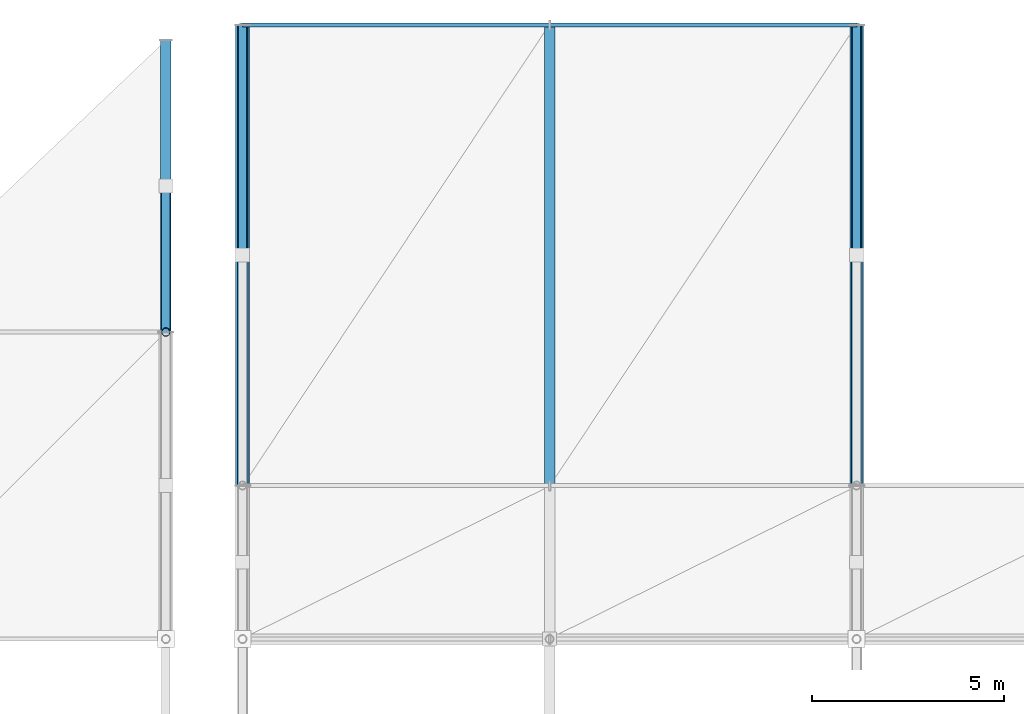
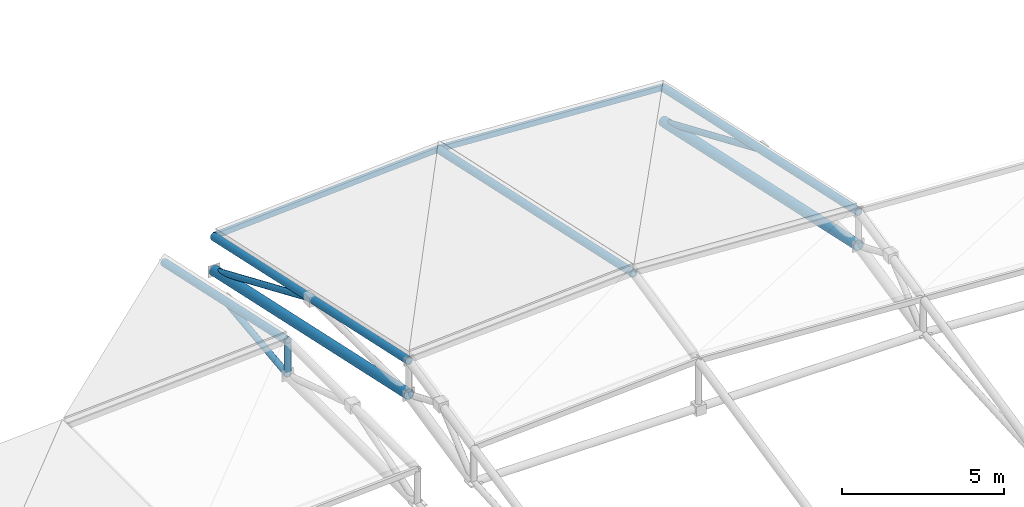
# One storey, part 12 of 27: 10 members, 2 beams.
"""IFC4 building model written with IfcOpenShell, lengths in metres."""

from ifc_helpers import new_model, si_unit, direction, frame, origin, origin_2d, place, context, subcontext, project, spatial, hollow_rectangle, hollow_circle, extrude, material, material_profile, profile_set, type_object, element, save


model = new_model("IFC4")

# Units and contexts
model_context = context("Model", 3, precision=1e-05, world=origin(), true_north=direction((0.0, 1.0)))
body_context = subcontext(model_context, "Body", "Model", "MODEL_VIEW")
ifc_project = project(units=[si_unit("LENGTHUNIT", "METRE"), si_unit("AREAUNIT", "SQUARE_METRE"), si_unit("VOLUMEUNIT", "CUBIC_METRE"), si_unit("PLANEANGLEUNIT", "RADIAN"), si_unit("MASSUNIT", "GRAM", prefix="KILO")], contexts=[model_context])

# Site, building, storey
site_placement = place(None, origin())
site = spatial("IfcSite", under=ifc_project, at=site_placement, CompositionType="ELEMENT")
building_placement = place(site_placement, origin())
building = spatial("IfcBuilding", under=site, at=building_placement, Name="Drelvath Fold Interchange", CompositionType="ELEMENT")
storey_placement = place(building_placement, frame((0.0, 0.0, 19.800048828125)))
storey = spatial("IfcBuildingStorey", under=building, at=storey_placement, Name="L04", CompositionType="ELEMENT", Elevation=19.800048828125)

# Members
ifc_material = material(Name="Steel ASTM A500 Grade C", Category="steel")
ifc_material_profile_1 = material_profile(ifc_material, hollow_rectangle(XDim=0.10205078125, YDim=0.202880859375, WallThickness=0.00732421875, at=origin_2d()), Name="HSS8X4X5/16")
ifc_profile_set_1 = profile_set([ifc_material_profile_1], Name="Steel ASTM A500 Grade C")
member_type_1 = type_object("IfcMemberType", Name="PR-HSS203", PredefinedType="PURLIN", material=ifc_profile_set_1)
for number, where, z_axis, x_axis, name in (
    (1, (102.0, 59.0, -0.01708984375), (0.998197699277, 0.0, 0.060011275256), (0.0, 1.0, 0.0), "L04 Space frame canopy purlin PR-HSS203"),
    (2, (110.0, 59.0, 0.4638671875), (0.998197699277, 0.0, -0.060011275256), (0.0, 1.0, 0.0), "L04 Space frame canopy purlin PR-HSS203"),
):
    element("IfcMember", number, at=place(storey_placement, frame(where, z_axis=z_axis, x_axis=x_axis)), inside=storey, type_object=member_type_1, Name=name, PredefinedType="PURLIN", context=body_context, shape_type="SweptSolid", body=[
        extrude(hollow_rectangle(XDim=0.10205078125, YDim=0.202880859375, WallThickness=0.00732421875, at=origin_2d()), origin(), (0.0, 0.0, 1.0), 8.014404296875),
    ])
ifc_material_profile_2 = material_profile(ifc_material, hollow_circle(Radius=0.136474609375, WallThickness=0.01171875, at=origin_2d()), Name="HSS10.750X0.500")
ifc_profile_set_2 = profile_set([ifc_material_profile_2], Name="Steel ASTM A500 Grade C")
member_type_2 = type_object("IfcMemberType", Name="SF-CHD273", PredefinedType="CHORD", material=ifc_profile_set_2)
member_1_placement = place(storey_placement, frame((100.0, 51.0, 1.574951171875), z_axis=(0.0, 0.977048433435, -0.213017273297), x_axis=(-1.0, 0.0, 0.0)))
element("IfcMember", 3, at=member_1_placement, inside=storey, type_object=member_type_2, Name="L04 Space frame roof truss upper chord SF-CHD273", PredefinedType="CHORD", context=body_context, shape_type="SweptSolid", body=[
    extrude(hollow_circle(Radius=0.136474609375, WallThickness=0.01171875, at=origin_2d()), origin(), (0.0, 0.0, 1.0), 7.778564453125),
])
for number, where, z_axis, x_axis, name in (
    (4, (102.0, 47.0, 2.56689453125), (0.0, 0.977053307197, -0.212994917534), (-1.0, 0.0, 0.0), "L04 Space frame roof truss upper chord SF-CHD273"),
    (5, (118.0, 47.0, 2.56689453125), (0.0, 0.977053307197, -0.212994917534), (-1.0, 0.0, 0.0), "L04 Space frame roof truss upper chord SF-CHD273"),
    (6, (110.0, 47.0, 3.0478515625), (0.0, 0.977053307197, -0.212994917534), (-1.0, 0.0, 0.0), "L04 Space frame crown chord SF-CHD273"),
):
    element("IfcMember", number, at=place(storey_placement, frame(where, z_axis=z_axis, x_axis=x_axis)), inside=storey, type_object=member_type_2, Name=name, PredefinedType="CHORD", context=body_context, shape_type="SweptSolid", body=[
        extrude(hollow_circle(Radius=0.136474609375, WallThickness=0.01171875, at=origin_2d()), origin(), (0.0, 0.0, 1.0), 12.28173828125),
    ])

# Beams
ifc_material_profile_3 = material_profile(ifc_material, hollow_circle(Radius=0.177978515625, WallThickness=0.01171875, at=origin_2d()), Name="HSS14.000X0.500")
ifc_profile_set_3 = profile_set([ifc_material_profile_3], Name="Steel ASTM A500 Grade C")
beam_type = type_object("IfcBeamType", Name="SF-RIB356", PredefinedType="BEAM", material=ifc_profile_set_3)
for number, where, z_axis, x_axis, name in (
    (7, (102.0, 47.0, 1.296875), (0.0, 0.977053307197, -0.212994917534), (-1.0, 0.0, 0.0), "Space frame roof truss main rib chord EAST"),
    (8, (118.0, 47.0, 1.296875), (0.0, 0.977053307197, -0.212994917534), (-1.0, 0.0, 0.0), "Space frame roof truss main rib chord EAST"),
):
    element("IfcBeam", number, at=place(storey_placement, frame(where, z_axis=z_axis, x_axis=x_axis)), inside=storey, type_object=beam_type, Name=name, PredefinedType="BEAM", context=body_context, shape_type="SweptSolid", body=[
        extrude(hollow_circle(Radius=0.177978515625, WallThickness=0.01171875, at=origin_2d()), origin(), (0.0, 0.0, 1.0), 12.28173828125),
    ])

# Members
ifc_material_profile_4 = material_profile(ifc_material, hollow_circle(Radius=0.109619140625, WallThickness=0.0087890625, at=origin_2d()), Name="HSS8.625X0.375")
ifc_profile_set_4 = profile_set([ifc_material_profile_4], Name="Steel ASTM A500 Grade C")
member_type_3 = type_object("IfcMemberType", Name="SF-WEB219", PredefinedType="BRACE", material=ifc_profile_set_4)
member_2_placement = place(storey_placement, frame((100.0, 51.0, 0.304931640625), z_axis=(0.0, 0.993299204982, 0.115571144248), x_axis=(-1.0, 0.0, 0.0)))
element("IfcMember", 9, at=member_2_placement, inside=storey, type_object=member_type_3, Name="L04 Space frame roof truss web brace SF-WEB219", PredefinedType="BRACE", context=body_context, shape_type="SweptSolid", body=[
    extrude(hollow_circle(Radius=0.109619140625, WallThickness=0.0087890625, at=origin_2d()), origin(), (0.0, 0.0, 1.0), 3.82568359375),
])
member_3_placement = place(storey_placement, frame((100.0, 51.0, 0.304931640625), z_axis=(0.0, 0.0, 1.0), x_axis=(1.0, 0.0, 0.0)))
element("IfcMember", 10, at=member_3_placement, inside=storey, type_object=member_type_3, Name="L04 Space frame roof truss web brace SF-WEB219", PredefinedType="BRACE", context=body_context, shape_type="SweptSolid", body=[
    extrude(hollow_circle(Radius=0.109619140625, WallThickness=0.0087890625, at=origin_2d()), origin(), (0.0, 0.0, 1.0), 1.27001953125),
])
for number, where, z_axis, x_axis, name in (
    (11, (102.0, 53.0, 1.259033203125), (0.0, 0.918773350213, -0.394785423919), (-1.0, 0.0, 0.0), "L04 Space frame roof truss web brace SF-WEB219"),
    (12, (118.0, 53.0, 1.259033203125), (0.0, 0.918773350213, -0.394785423919), (-1.0, 0.0, 0.0), "L04 Space frame roof truss web brace SF-WEB219"),
):
    element("IfcMember", number, at=place(storey_placement, frame(where, z_axis=z_axis, x_axis=x_axis)), inside=storey, type_object=member_type_3, Name=name, PredefinedType="BRACE", context=body_context, shape_type="SweptSolid", body=[
        extrude(hollow_circle(Radius=0.109619140625, WallThickness=0.0087890625, at=origin_2d()), origin(), (0.0, 0.0, 1.0), 6.530517578125),
    ])

save(model, "model.ifc")
